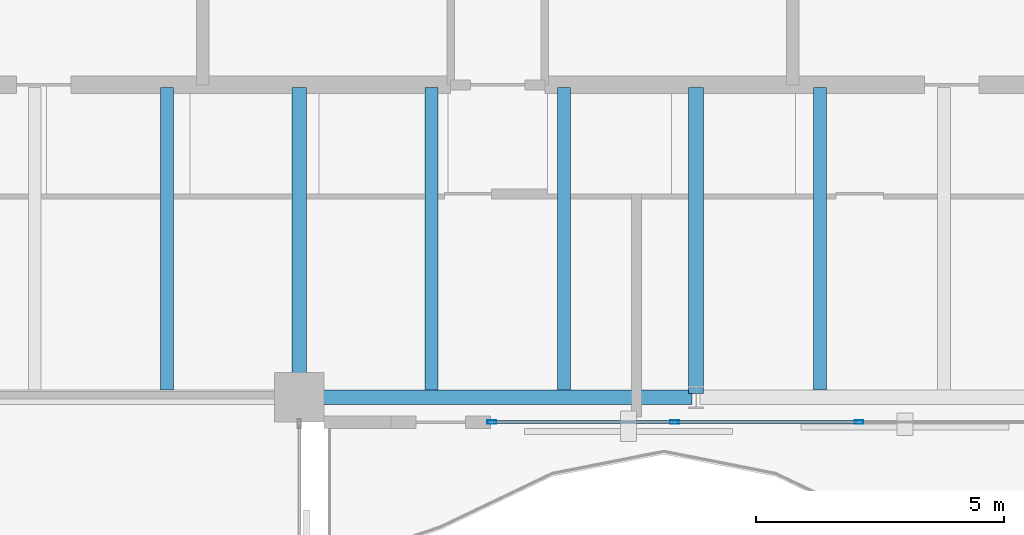
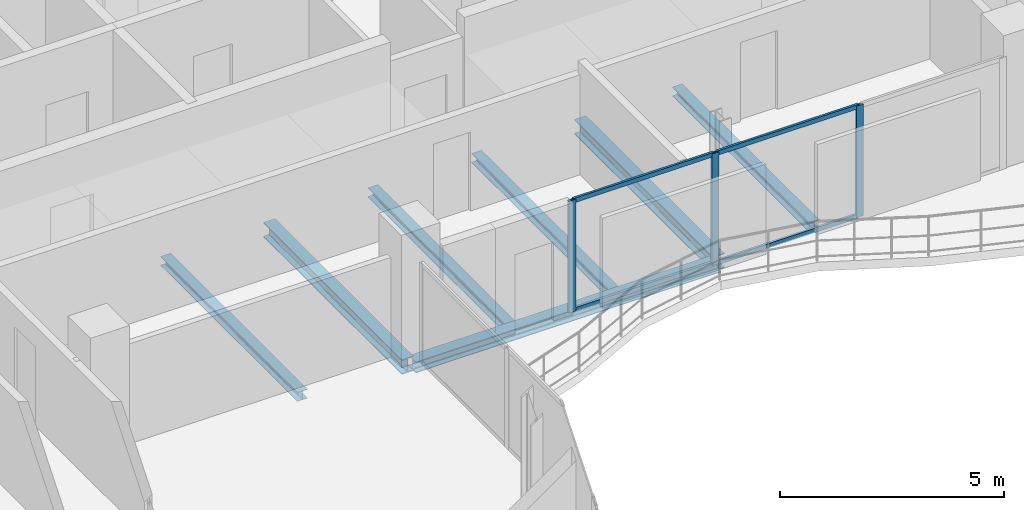
# One storey, part 11 of 23: 7 beams, 7 members, 1 element without a shape of its own.
"""IFC4 building model written with IfcOpenShell, lengths in metres."""

from ifc_helpers import new_model, si_unit, direction, frame, origin, origin_2d, place, context, subcontext, project, spatial, hollow_rectangle, i_section, extrude, material, layer, layer_set, material_profile, profile_set, type_object, element, aggregate, save


model = new_model("IFC4")

# Units and contexts
model_context = context("Model", 3, precision=1e-05, world=origin(), true_north=direction((0.0, 1.0)))
body_context = subcontext(model_context, "Body", "Model", "MODEL_VIEW")
ifc_project = project(units=[si_unit("LENGTHUNIT", "METRE"), si_unit("AREAUNIT", "SQUARE_METRE"), si_unit("VOLUMEUNIT", "CUBIC_METRE"), si_unit("PLANEANGLEUNIT", "RADIAN"), si_unit("MASSUNIT", "GRAM", prefix="KILO")], contexts=[model_context])

# Site, building, storey
site_placement = place(None, origin())
site = spatial("IfcSite", under=ifc_project, at=site_placement, CompositionType="ELEMENT")
building_placement = place(site_placement, origin())
building = spatial("IfcBuilding", under=site, at=building_placement, Name="Catumbela Crestline Tower", CompositionType="ELEMENT")
storey_placement = place(building_placement, frame((0.0, 0.0, 201.0)))
storey = spatial("IfcBuildingStorey", under=building, at=storey_placement, Name="L52", CompositionType="ELEMENT", Elevation=201.0)

# Beams
ifc_material_1 = material(Name="Structural steel S355J2", Category="steel")
ifc_material_profile_1 = material_profile(ifc_material_1, i_section(OverallWidth=0.3, OverallDepth=0.4, WebThickness=0.0135, FlangeThickness=0.024, FilletRadius=0.027, at=origin_2d()), Name="HEB 400")
ifc_profile_set_1 = profile_set([ifc_material_profile_1], Name="Structural steel S355J2")
beam_type_1 = type_object("IfcBeamType", Name="BG-HEB400", PredefinedType="BEAM", material=ifc_profile_set_1)
for number, where, z_axis, x_axis, name in (
    (1, (24.0, 24.58, -0.46), (0.0, 1.0, 0.0), (-1.0, 0.0, 0.0), "L52 Beam BM-L52-SNS18"),
    (2, (32.0, 24.58, -0.46), (0.0, 1.0, 0.0), (-1.0, 0.0, 0.0), "L52 Beam BM-L52-SNS19"),
):
    element("IfcBeam", number, at=place(storey_placement, frame(where, z_axis=z_axis, x_axis=x_axis)), inside=storey, type_object=beam_type_1, Name=name, PredefinedType="BEAM", context=body_context, shape_type="SweptSolid", body=[
        extrude(i_section(OverallWidth=0.3, OverallDepth=0.4, WebThickness=0.0135, FlangeThickness=0.024, FilletRadius=0.027, at=origin_2d()), origin(), (0.0, 0.0, 1.0), 6.17),
    ])
ifc_material_profile_2 = material_profile(ifc_material_1, i_section(OverallWidth=0.26, OverallDepth=0.25, WebThickness=0.0075, FlangeThickness=0.0125, FilletRadius=0.024, at=origin_2d()), Name="HEA 260")
ifc_profile_set_2 = profile_set([ifc_material_profile_2], Name="Structural steel S355J2")
beam_type_2 = type_object("IfcBeamType", Name="BJ-HEA260", PredefinedType="JOIST", material=ifc_profile_set_2)
for number, where, z_axis, x_axis, name in (
    (3, (21.333, 24.647, -0.385), (0.0, 1.0, 0.0), (-1.0, 0.0, 0.0), "L52 Joist JS-L52-SP27"),
    (4, (26.667, 24.647, -0.385), (0.0, 1.0, 0.0), (-1.0, 0.0, 0.0), "L52 Joist JS-L52-SP28"),
    (5, (29.333, 24.647, -0.385), (0.0, 1.0, 0.0), (-1.0, 0.0, 0.0), "L52 Joist JS-L52-SP29"),
    (6, (34.5, 24.647, -0.385), (0.0, 1.0, 0.0), (-1.0, 0.0, 0.0), "L52 Joist JS-L52-SP30"),
):
    element("IfcBeam", number, at=place(storey_placement, frame(where, z_axis=z_axis, x_axis=x_axis)), inside=storey, type_object=beam_type_2, Name=name, PredefinedType="JOIST", context=body_context, shape_type="SweptSolid", body=[
        extrude(i_section(OverallWidth=0.26, OverallDepth=0.25, WebThickness=0.0075, FlangeThickness=0.0125, FilletRadius=0.024, at=origin_2d()), origin(), (0.0, 0.0, 1.0), 6.103),
    ])

# Curtain wall, members
ifc_material_2 = material(Name="Aluminium alloy AW-6060-T66", Category="aluminium")
ifc_layer = layer(ifc_material_2, 0.18, Name="Aluminium alloy AW-6060-T66")
ifc_layer_set = layer_set([ifc_layer], Name="Aluminium alloy AW-6060-T66")
curtain_wall_type = type_object("IfcCurtainWallType", Name="CWU-Z3", PredefinedType="USERDEFINED", material=ifc_layer_set)
curtain_wall_placement = place(storey_placement, origin())
curtain_wall = element("IfcCurtainWall", 7, at=curtain_wall_placement, inside=storey, type_object=curtain_wall_type, Name="L52 Unitised Curtain Wall CW-L52-E3S2", ObjectType="UNITISED", PredefinedType="USERDEFINED")
ifc_material_profile_3 = material_profile(ifc_material_2, hollow_rectangle(XDim=0.065, YDim=0.18, WallThickness=0.004, at=origin_2d()), Name="ALU 180x65x4")
ifc_profile_set_3 = profile_set([ifc_material_profile_3], Name="Aluminium alloy AW-6060-T66")
member_type_1 = type_object("IfcMemberType", Name="MUL-180X65", PredefinedType="MULLION", material=ifc_profile_set_3)
member_1_placement = place(storey_placement, frame((27.8825, 24.0, 0.0), z_axis=(0.0, 0.0, 1.0), x_axis=(0.0, 1.0, 0.0)))
member_1 = element("IfcMember", 8, at=member_1_placement, type_object=member_type_1, Name="CWU-Z3 mullion 1", PredefinedType="MULLION", context=body_context, shape_type="SweptSolid", body=[
    extrude(hollow_rectangle(XDim=0.065, YDim=0.18, WallThickness=0.004, at=origin_2d()), origin(), (0.0, 0.0, 1.0), 3.04),
])
member_2_placement = place(storey_placement, frame((31.5667, 24.0, 0.0), z_axis=(0.0, 0.0, 1.0), x_axis=(0.0, 1.0, 0.0)))
member_2 = element("IfcMember", 9, at=member_2_placement, type_object=member_type_1, Name="CWU-Z3 mullion 2", PredefinedType="MULLION", context=body_context, shape_type="SweptSolid", body=[
    extrude(hollow_rectangle(XDim=0.065, YDim=0.18, WallThickness=0.004, at=origin_2d()), origin(), (0.0, 0.0, 1.0), 3.04),
])
member_3_placement = place(storey_placement, frame((35.2833, 24.0, 0.0), z_axis=(0.0, 0.0, 1.0), x_axis=(0.0, 1.0, 0.0)))
member_3 = element("IfcMember", 10, at=member_3_placement, type_object=member_type_1, Name="CWU-Z3 mullion 3", PredefinedType="MULLION", context=body_context, shape_type="SweptSolid", body=[
    extrude(hollow_rectangle(XDim=0.065, YDim=0.18, WallThickness=0.004, at=origin_2d()), origin(), (0.0, 0.0, 1.0), 3.04),
])

# Beam
ifc_material_profile_4 = material_profile(ifc_material_1, i_section(OverallWidth=0.3, OverallDepth=0.3, WebThickness=0.011, FlangeThickness=0.019, FilletRadius=0.027, at=origin_2d()), Name="HEB 300")
ifc_profile_set_4 = profile_set([ifc_material_profile_4], Name="Structural steel S355J2")
beam_type_3 = type_object("IfcBeamType", Name="BS-HEB300", PredefinedType="SPANDREL", material=ifc_profile_set_4)
beam_placement = place(storey_placement, frame((24.08, 24.5, -0.41), z_axis=(1.0, 0.0, 0.0), x_axis=(0.0, 1.0, 0.0)))
element("IfcBeam", 11, at=beam_placement, inside=storey, type_object=beam_type_3, Name="L52 Spandrel SP-L52-S04", PredefinedType="SPANDREL", context=body_context, shape_type="SweptSolid", body=[
    extrude(i_section(OverallWidth=0.3, OverallDepth=0.3, WebThickness=0.011, FlangeThickness=0.019, FilletRadius=0.027, at=origin_2d()), origin(), (0.0, 0.0, 1.0), 7.84),
])

# Member
ifc_material_profile_5 = material_profile(ifc_material_2, hollow_rectangle(XDim=0.06, YDim=0.12, WallThickness=0.0035, at=origin_2d()), Name="ALU 120x60x3.5")
ifc_profile_set_5 = profile_set([ifc_material_profile_5], Name="Aluminium alloy AW-6060-T66")
member_type_2 = type_object("IfcMemberType", Name="TRN-120X60", PredefinedType="USERDEFINED", material=ifc_profile_set_5)
member_4_placement = place(storey_placement, frame((27.915, 24.0, 0.03), z_axis=(1.0, 0.0, 0.0), x_axis=(0.0, 1.0, 0.0)))
member_4 = element("IfcMember", 12, at=member_4_placement, type_object=member_type_2, Name="CWU-Z3 transom 1.1", ObjectType="TRANSOM", PredefinedType="USERDEFINED", context=body_context, shape_type="SweptSolid", body=[
    extrude(hollow_rectangle(XDim=0.06, YDim=0.12, WallThickness=0.0035, at=origin_2d()), origin(), (0.0, 0.0, 1.0), 3.6192),
])

member_5_placement = place(storey_placement, frame((27.915, 24.0, 3.01), z_axis=(1.0, 0.0, 0.0), x_axis=(0.0, 1.0, 0.0)))
member_5 = element("IfcMember", 13, at=member_5_placement, type_object=member_type_2, Name="CWU-Z3 transom 1.2", ObjectType="TRANSOM", PredefinedType="USERDEFINED", context=body_context, shape_type="SweptSolid", body=[
    extrude(hollow_rectangle(XDim=0.06, YDim=0.12, WallThickness=0.0035, at=origin_2d()), origin(), (0.0, 0.0, 1.0), 3.6192),
])

member_6_placement = place(storey_placement, frame((31.5992, 24.0, 0.03), z_axis=(1.0, 0.0, 0.0), x_axis=(0.0, 1.0, 0.0)))
member_6 = element("IfcMember", 14, at=member_6_placement, type_object=member_type_2, Name="CWU-Z3 transom 2.1", ObjectType="TRANSOM", PredefinedType="USERDEFINED", context=body_context, shape_type="SweptSolid", body=[
    extrude(hollow_rectangle(XDim=0.06, YDim=0.12, WallThickness=0.0035, at=origin_2d()), origin(), (0.0, 0.0, 1.0), 3.6516),
])

member_7_placement = place(storey_placement, frame((31.5992, 24.0, 3.01), z_axis=(1.0, 0.0, 0.0), x_axis=(0.0, 1.0, 0.0)))
member_7 = element("IfcMember", 15, at=member_7_placement, type_object=member_type_2, Name="CWU-Z3 transom 2.2", ObjectType="TRANSOM", PredefinedType="USERDEFINED", context=body_context, shape_type="SweptSolid", body=[
    extrude(hollow_rectangle(XDim=0.06, YDim=0.12, WallThickness=0.0035, at=origin_2d()), origin(), (0.0, 0.0, 1.0), 3.6516),
])

aggregate(curtain_wall, [member_1, member_2, member_3, member_4, member_5, member_6, member_7])

save(model, "model.ifc")
